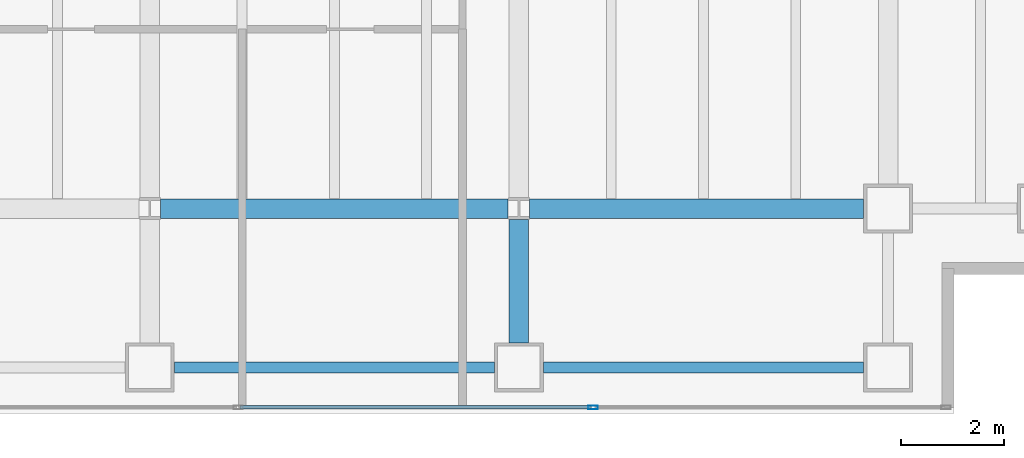
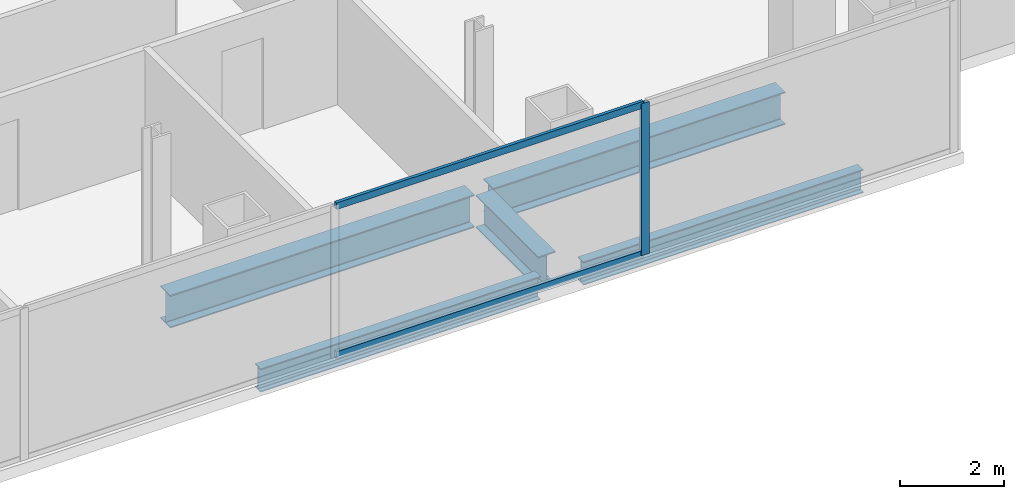
# One storey, part 9 of 23: 5 beams, 3 members, 1 element without a shape of its own.
"""IFC4 building model written with IfcOpenShell, lengths in metres."""

from ifc_helpers import new_model, si_unit, direction, frame, origin, origin_2d, place, context, subcontext, project, spatial, hollow_rectangle, i_section, extrude, material, material_profile, profile_set, type_object, element, aggregate, save


model = new_model("IFC4")

# Units and contexts
model_context = context("Model", 3, precision=1e-05, world=origin(), true_north=direction((0.0, 1.0)))
body_context = subcontext(model_context, "Body", "Model", "MODEL_VIEW")
ifc_project = project(units=[si_unit("LENGTHUNIT", "METRE"), si_unit("AREAUNIT", "SQUARE_METRE"), si_unit("VOLUMEUNIT", "CUBIC_METRE"), si_unit("PLANEANGLEUNIT", "RADIAN"), si_unit("MASSUNIT", "GRAM", prefix="KILO")], contexts=[model_context])

# Site, building, storey
site_placement = place(None, origin())
site = spatial("IfcSite", under=ifc_project, at=site_placement, CompositionType="ELEMENT")
building_placement = place(site_placement, origin())
building = spatial("IfcBuilding", under=site, at=building_placement, Name="Cobrela Telecom Tower", CompositionType="ELEMENT")
storey_placement = place(building_placement, frame((0.0, 0.0, 109.89990234375)))
storey = spatial("IfcBuildingStorey", under=building, at=storey_placement, Name="L27", CompositionType="ELEMENT", Elevation=109.89990234375)

# Beams
ifc_material_1 = material(Name="Steel ASTM A992 Grade 50", Category="steel")
ifc_material_profile_1 = material_profile(ifc_material_1, i_section(OverallWidth=0.381103515625, OverallDepth=0.77197265625, WebThickness=0.0166015625, FlangeThickness=0.027099609375, FilletRadius=0.01904296875, at=origin_2d()), Name="W30X173")
ifc_profile_set_1 = profile_set([ifc_material_profile_1], Name="Steel ASTM A992 Grade 50")
beam_type_1 = type_object("IfcBeamType", Name="BM-GIRD-04", PredefinedType="USERDEFINED", material=ifc_profile_set_1)
beam_1_placement = place(storey_placement, frame((29.009521484375, 7.199951171875, -0.656005859375), z_axis=(1.0, 0.0, 0.0), x_axis=(0.0, 1.0, 0.0)))
element("IfcBeam", 1, at=beam_1_placement, inside=storey, type_object=beam_type_1, Name="L27 Primary Girder X10", ObjectType="GIRDER", PredefinedType="USERDEFINED", context=body_context, shape_type="SweptSolid", body=[
    extrude(i_section(OverallWidth=0.381103515625, OverallDepth=0.77197265625, WebThickness=0.0166015625, FlangeThickness=0.027099609375, FilletRadius=0.01904296875, at=origin_2d()), origin(), (0.0, 0.0, 1.0), 6.781005859375),
])
beam_2_placement = place(storey_placement, frame((36.20947265625, 7.199951171875, -0.656005859375), z_axis=(1.0, 0.0, 0.0), x_axis=(0.0, 1.0, 0.0)))
element("IfcBeam", 2, at=beam_2_placement, inside=storey, type_object=beam_type_1, Name="L27 Primary Girder X11", ObjectType="GIRDER", PredefinedType="USERDEFINED", context=body_context, shape_type="SweptSolid", body=[
    extrude(i_section(OverallWidth=0.381103515625, OverallDepth=0.77197265625, WebThickness=0.0166015625, FlangeThickness=0.027099609375, FilletRadius=0.01904296875, at=origin_2d()), origin(), (0.0, 0.0, 1.0), 6.510498046875),
])
beam_3_placement = place(storey_placement, frame((36.0, 4.580078125, -0.656005859375), z_axis=(0.0, 1.0, 0.0), x_axis=(-1.0, 0.0, 0.0)))
element("IfcBeam", 3, at=beam_3_placement, inside=storey, type_object=beam_type_1, Name="L27 Primary Girder Y49", ObjectType="GIRDER", PredefinedType="USERDEFINED", context=body_context, shape_type="SweptSolid", body=[
    extrude(i_section(OverallWidth=0.381103515625, OverallDepth=0.77197265625, WebThickness=0.0166015625, FlangeThickness=0.027099609375, FilletRadius=0.01904296875, at=origin_2d()), origin(), (0.0, 0.0, 1.0), 2.410400390625),
])
ifc_material_profile_2 = material_profile(ifc_material_1, i_section(OverallWidth=0.212890625, OverallDepth=0.549072265625, WebThickness=0.0146484375, FlangeThickness=0.023681640625, FilletRadius=0.013916015625, at=origin_2d()), Name="W21X93")
ifc_profile_set_2 = profile_set([ifc_material_profile_2], Name="Steel ASTM A992 Grade 50")
beam_type_2 = type_object("IfcBeamType", Name="BM-SPAND-03", PredefinedType="SPANDREL", material=ifc_profile_set_2)
for number, where, z_axis, x_axis, name in (
    (4, (29.280029296875, 4.10009765625, -0.54443359375), (1.0, 0.0, 0.0), (0.0, 1.0, 0.0), "L27 Perimeter Spandrel X04"),
    (5, (36.47998046875, 4.10009765625, -0.54443359375), (1.0, 0.0, 0.0), (0.0, 1.0, 0.0), "L27 Perimeter Spandrel X05"),
):
    element("IfcBeam", number, at=place(storey_placement, frame(where, z_axis=z_axis, x_axis=x_axis)), inside=storey, type_object=beam_type_2, Name=name, PredefinedType="SPANDREL", context=body_context, shape_type="SweptSolid", body=[
        extrude(i_section(OverallWidth=0.212890625, OverallDepth=0.549072265625, WebThickness=0.0146484375, FlangeThickness=0.023681640625, FilletRadius=0.013916015625, at=origin_2d()), origin(), (0.0, 0.0, 1.0), 6.239990234375),
    ])

# Curtain wall, members
ifc_material_2 = material(Name="Anodized Bronze Aluminium 6063-T6", Category="aluminium")
curtain_wall_type = type_object("IfcCurtainWallType", Name="CW-SYS-TEL", PredefinedType="USERDEFINED", material=ifc_material_2)
curtain_wall_placement = place(storey_placement, origin())
curtain_wall = element("IfcCurtainWall", 6, at=curtain_wall_placement, inside=storey, type_object=curtain_wall_type, Name="L27 Unitised Bronze Curtain Wall 17", ObjectType="UNITISED CURTAIN WALL", PredefinedType="USERDEFINED")
ifc_material_profile_3 = material_profile(ifc_material_2, hollow_rectangle(XDim=0.074951171875, YDim=0.179931640625, WallThickness=0.00390625, at=origin_2d()), Name="ALU 75x180x4")
ifc_profile_set_3 = profile_set([ifc_material_profile_3], Name="Anodized Bronze Aluminium 6063-T6")
member_type_1 = type_object("IfcMemberType", Name="CW-SYS-TEL-MUL", PredefinedType="MULLION", material=ifc_profile_set_3)
member_1_placement = place(storey_placement, frame((37.44677734375, 3.320068359375, 0.0), z_axis=(0.0, 0.0, 1.0), x_axis=(0.0, -1.0, 0.0)))
member_1 = element("IfcMember", 7, at=member_1_placement, type_object=member_type_1, Name="CW-TEL mullion 2", PredefinedType="MULLION", context=body_context, shape_type="SweptSolid", body=[
    extrude(hollow_rectangle(XDim=0.074951171875, YDim=0.179931640625, WallThickness=0.00390625, at=origin_2d()), origin(), (0.0, 0.0, 1.0), 3.580078125),
])
ifc_material_profile_4 = material_profile(ifc_material_2, hollow_rectangle(XDim=0.070068359375, YDim=0.159912109375, WallThickness=0.00390625, at=origin_2d()), Name="ALU 70x160x4")
ifc_profile_set_4 = profile_set([ifc_material_profile_4], Name="Anodized Bronze Aluminium 6063-T6")
member_type_2 = type_object("IfcMemberType", Name="CW-SYS-TEL-TRN", PredefinedType="USERDEFINED", material=ifc_profile_set_4)
member_2_placement = place(storey_placement, frame((37.4091796875, 3.320068359375, 0.03515625), z_axis=(-1.0, 0.0, 0.0), x_axis=(0.0, -1.0, 0.0)))
member_2 = element("IfcMember", 8, at=member_2_placement, type_object=member_type_2, Name="CW-TEL transom 2.1", ObjectType="TRANSOM", PredefinedType="USERDEFINED", context=body_context, shape_type="SweptSolid", body=[
    extrude(hollow_rectangle(XDim=0.070068359375, YDim=0.159912109375, WallThickness=0.00390625, at=origin_2d()), origin(), (0.0, 0.0, 1.0), 6.848388671875),
])
member_3_placement = place(storey_placement, frame((37.4091796875, 3.320068359375, 3.545166015625), z_axis=(-1.0, 0.0, 0.0), x_axis=(0.0, -1.0, 0.0)))
member_3 = element("IfcMember", 9, at=member_3_placement, type_object=member_type_2, Name="CW-TEL transom 2.2", ObjectType="TRANSOM", PredefinedType="USERDEFINED", context=body_context, shape_type="SweptSolid", body=[
    extrude(hollow_rectangle(XDim=0.070068359375, YDim=0.159912109375, WallThickness=0.00390625, at=origin_2d()), origin(), (0.0, 0.0, 1.0), 6.848388671875),
])
aggregate(curtain_wall, [member_1, member_2, member_3])

save(model, "model.ifc")
